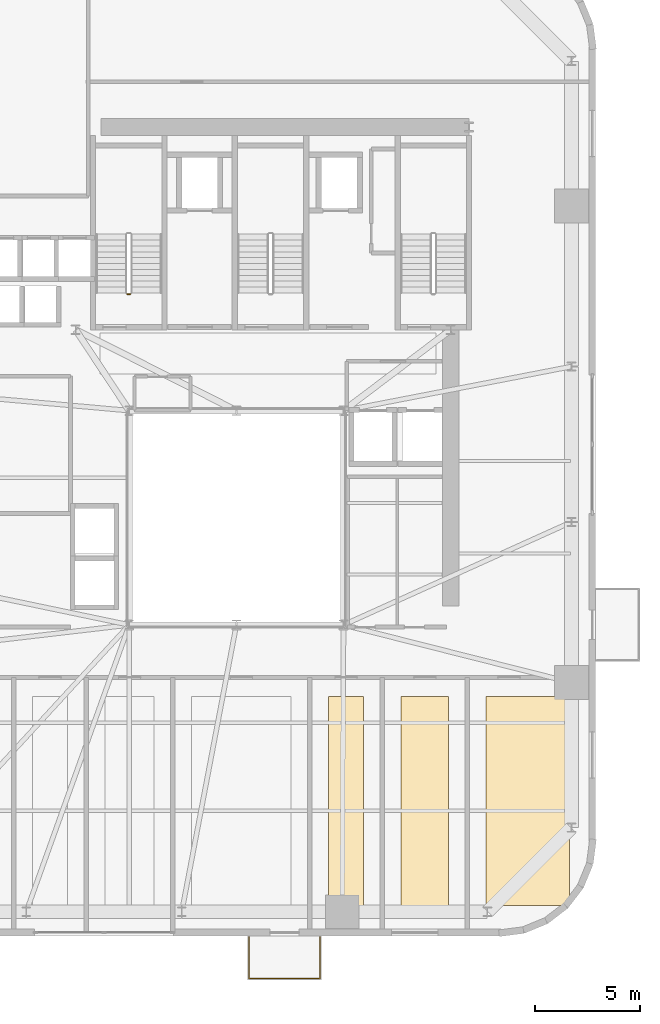
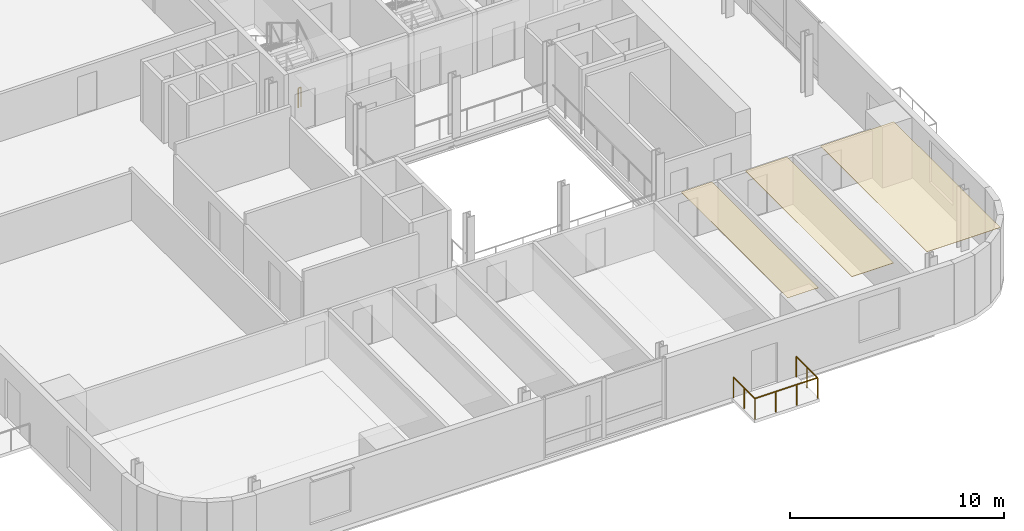
# One storey, part 11 of 14: 3 coverings, 2 railings.
"""IFC4 building model written with IfcOpenShell, lengths in metres."""

from ifc_helpers import new_model, si_unit, direction, frame, origin, origin_2d, place, context, subcontext, project, spatial, polyline, rectangle, outline, extrude, source, transform, mapped, material, layer, layer_set, type_object, element, save


model = new_model("IFC4")

# Units and contexts
model_context = context("Model", 3, precision=1e-05, world=origin(), true_north=direction((0.0, 1.0)))
body_context = subcontext(model_context, "Body", "Model", "MODEL_VIEW")
ifc_project = project(units=[si_unit("LENGTHUNIT", "METRE"), si_unit("AREAUNIT", "SQUARE_METRE"), si_unit("VOLUMEUNIT", "CUBIC_METRE"), si_unit("PLANEANGLEUNIT", "RADIAN"), si_unit("MASSUNIT", "GRAM", prefix="KILO")], contexts=[model_context])

# Site, building, storey
site_placement = place(None, origin())
site = spatial("IfcSite", under=ifc_project, at=site_placement, CompositionType="ELEMENT")
building_placement = place(site_placement, origin())
building = spatial("IfcBuilding", under=site, at=building_placement, Name="Vardaveli Station Tower", CompositionType="ELEMENT")
storey_placement = place(building_placement, frame((0.0, 0.0, 122.39990234375)))
storey = spatial("IfcBuildingStorey", under=building, at=storey_placement, Name="L31", CompositionType="ELEMENT", Elevation=122.39990234375)

# Coverings
ifc_material_1 = material(Name="Perforated acoustic mineral ceiling")
ifc_layer = layer(ifc_material_1, 0.02001953125, Name="Perforated acoustic mineral ceiling")
ifc_layer_set = layer_set([ifc_layer], Name="Perforated acoustic mineral ceiling")
covering_type = type_object("IfcCoveringType", Name="COV-CEIL-AC20", PredefinedType="CEILING", material=ifc_layer_set)
covering_1_placement = place(storey_placement, frame((0.0, 0.0, 3.445068359375)))
element("IfcCovering", 1, at=covering_1_placement, inside=storey, type_object=covering_type, Name="CEIL-L31-6", PredefinedType="CEILING", context=body_context, shape_type="SweptSolid", body=[
    extrude(outline(polyline([(40.689697265625, 3.25), (42.339599609375, 3.25), (42.339599609375, 13.199951171875), (40.689697265625, 13.199951171875), (40.689697265625, 3.25)])), origin(), (0.0, 0.0, 1.0), 0.02001953125),
])
covering_2_placement = place(storey_placement, frame((0.0, 0.0, 3.445068359375)))
element("IfcCovering", 2, at=covering_2_placement, inside=storey, type_object=covering_type, Name="CEIL-L31-7", PredefinedType="CEILING", context=body_context, shape_type="SweptSolid", body=[
    extrude(outline(polyline([(44.1396484375, 3.25), (46.387451171875, 3.25), (46.387451171875, 13.199951171875), (44.1396484375, 13.199951171875), (44.1396484375, 3.25)])), origin(), (0.0, 0.0, 1.0), 0.02001953125),
])
covering_3_placement = place(storey_placement, frame((0.0, 0.0, 3.445068359375)))
element("IfcCovering", 3, at=covering_3_placement, inside=storey, type_object=covering_type, Name="CEIL-L31-8", PredefinedType="CEILING", context=body_context, shape_type="SweptSolid", body=[
    extrude(outline(polyline([(48.1875, 3.25), (52.14990234375, 3.25), (52.14990234375, 13.199951171875), (48.1875, 13.199951171875), (48.1875, 3.25)])), origin(), (0.0, 0.0, 1.0), 0.02001953125),
])

# Railings
ifc_material_2 = material(Name="Laminated glass and stainless steel balustrade", Category="steel")
railing_type_1 = type_object("IfcRailingType", Name="RL-BAL-1200", PredefinedType="BALUSTRADE", material=ifc_material_2)
shared_shape_1 = source(origin(), body_context, "Body", "SweptSolid", [
    extrude(rectangle(XDim=0.048095703125, YDim=0.048095703125, at=origin_2d()), frame((0.0, 0.0, 1.17578125), z_axis=(0.0, -1.0, 0.0), x_axis=(1.0, 0.0, 0.0)), (0.0, 0.0, 1.0), 2.0),
    extrude(rectangle(XDim=0.048095703125, YDim=0.048095703125, at=origin_2d()), frame((0.0, -2.0, 1.17578125), z_axis=(1.0, 0.0, 0.0), x_axis=(0.0, 1.0, 0.0)), (0.0, 0.0, 1.0), 3.3798828125),
    extrude(rectangle(XDim=0.048095703125, YDim=0.048095703125, at=origin_2d()), frame((3.3798828125, -2.0, 1.17578125), z_axis=(0.0, 1.0, 0.0), x_axis=(-1.0, 0.0, 0.0)), (0.0, 0.0, 1.0), 2.0),
    extrude(rectangle(XDim=0.0419921875, YDim=0.0419921875, at=origin_2d()), origin(), (0.0, 0.0, 1.0), 1.15185546875),
    extrude(rectangle(XDim=0.0419921875, YDim=0.0419921875, at=origin_2d()), frame((0.0, -1.0, 0.0)), (0.0, 0.0, 1.0), 1.15185546875),
    extrude(rectangle(XDim=0.0419921875, YDim=0.0419921875, at=origin_2d()), frame((0.0, -2.0, 0.0)), (0.0, 0.0, 1.0), 1.15185546875),
    extrude(rectangle(XDim=0.0419921875, YDim=0.0419921875, at=origin_2d()), frame((1.126708984375, -2.0, 0.0)), (0.0, 0.0, 1.0), 1.15185546875),
    extrude(rectangle(XDim=0.0419921875, YDim=0.0419921875, at=origin_2d()), frame((2.253173828125, -2.0, 0.0)), (0.0, 0.0, 1.0), 1.15185546875),
    extrude(rectangle(XDim=0.0419921875, YDim=0.0419921875, at=origin_2d()), frame((3.3798828125, -2.0, 0.0)), (0.0, 0.0, 1.0), 1.15185546875),
    extrude(rectangle(XDim=0.0419921875, YDim=0.0419921875, at=origin_2d()), frame((3.3798828125, -1.0, 0.0)), (0.0, 0.0, 1.0), 1.15185546875),
    extrude(rectangle(XDim=0.0419921875, YDim=0.0419921875, at=origin_2d()), frame((3.3798828125, 0.0, 0.0)), (0.0, 0.0, 1.0), 1.15185546875),
])
railing_1_placement = place(storey_placement, frame((36.899658203125, 1.760009765625, 0.0)))
element("IfcRailing", 4, at=railing_1_placement, inside=storey, type_object=railing_type_1, Name="RL-LOG-L31-01", PredefinedType="BALUSTRADE", context=body_context, shape_type="MappedRepresentation", body=[
    mapped(shared_shape_1, transform((0.0, 0.0, 0.0), scale=1.0)),
])
ifc_material_3 = material(Name="Brushed AISI 316 stainless steel", Category="steel")
railing_type_2 = type_object("IfcRailingType", Name="RL-GUARD-1150", PredefinedType="GUARDRAIL", material=ifc_material_3)
shared_shape_2 = source(origin(), body_context, "Body", "SweptSolid", [
    extrude(rectangle(XDim=0.048095703125, YDim=0.048095703125, at=origin_2d()), frame((0.0, 0.0, 1.1259765625), z_axis=(-1.0, 0.0, 0.0), x_axis=(0.0, -1.0, 0.0)), (0.0, 0.0, 1.0), 0.14990234375),
    extrude(rectangle(XDim=0.0419921875, YDim=0.0419921875, at=origin_2d()), origin(), (0.0, 0.0, 1.0), 1.101806640625),
    extrude(rectangle(XDim=0.0419921875, YDim=0.0419921875, at=origin_2d()), frame((-0.14990234375, 0.0, 0.0)), (0.0, 0.0, 1.0), 1.101806640625),
])
railing_2_placement = place(storey_placement, frame((31.25, 32.35009765625, 0.0)))
element("IfcRailing", 5, at=railing_2_placement, inside=storey, type_object=railing_type_2, Name="L31 ST-1 stair guard 4", PredefinedType="GUARDRAIL", context=body_context, shape_type="MappedRepresentation", body=[
    mapped(shared_shape_2, transform((0.0, 0.0, 0.0), scale=1.0)),
])

save(model, "model.ifc")
